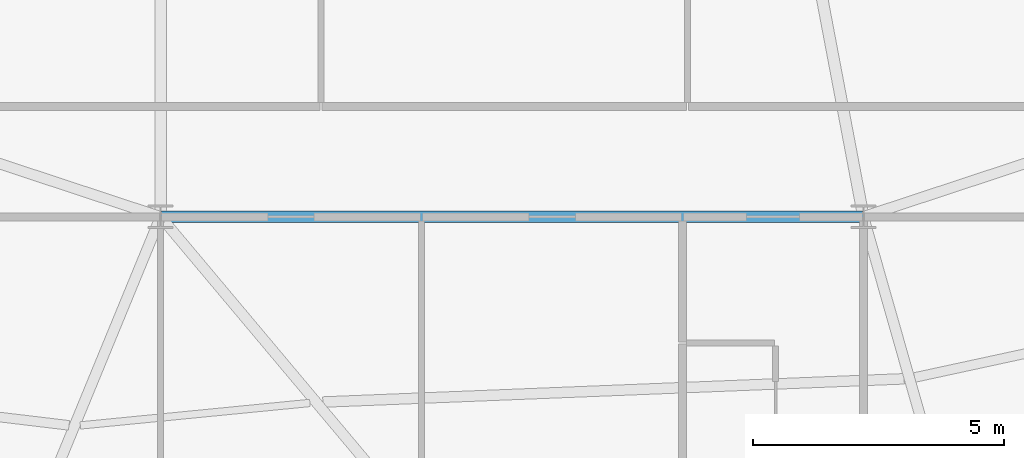
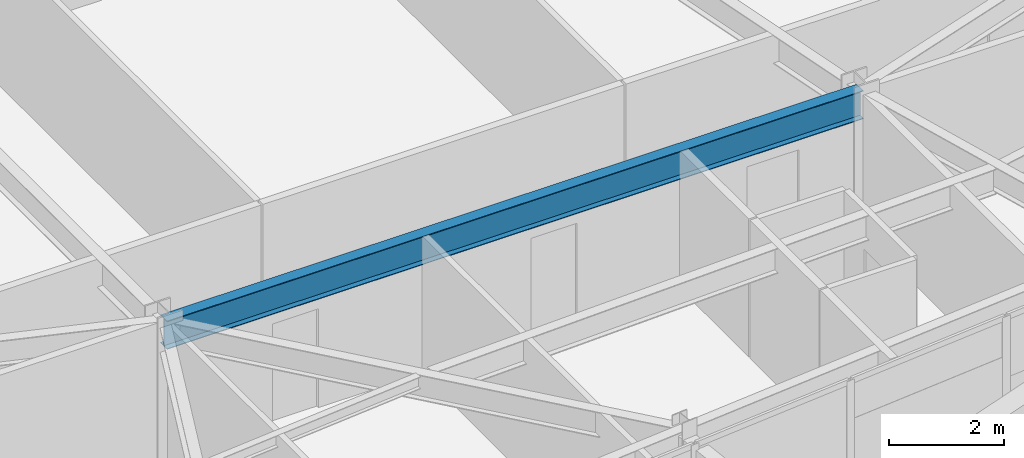
# One storey, part 12 of 52: 1 beam.
"""IFC4 building model written with IfcOpenShell, lengths in metres."""

from ifc_helpers import new_model, si_unit, direction, frame, origin, origin_2d, place, context, subcontext, project, spatial, i_section, extrude, source, transform, mapped, material, material_profile, profile_set, type_object, element, save


model = new_model("IFC4")

# Units and contexts
model_context = context("Model", 3, precision=1e-05, world=origin(), true_north=direction((0.0, 1.0)))
body_context = subcontext(model_context, "Body", "Model", "MODEL_VIEW")
ifc_project = project(units=[si_unit("LENGTHUNIT", "METRE"), si_unit("AREAUNIT", "SQUARE_METRE"), si_unit("VOLUMEUNIT", "CUBIC_METRE"), si_unit("PLANEANGLEUNIT", "RADIAN"), si_unit("MASSUNIT", "GRAM", prefix="KILO")], contexts=[model_context])

# Site, building, storey
site_placement = place(None, origin())
site = spatial("IfcSite", under=ifc_project, at=site_placement, CompositionType="ELEMENT")
building_placement = place(site_placement, origin())
building = spatial("IfcBuilding", under=site, at=building_placement, Name="Taldren Reach Tower", CompositionType="ELEMENT")
storey_placement = place(building_placement, frame((0.0, 0.0, 93.449951171875)))
storey = spatial("IfcBuildingStorey", under=building, at=storey_placement, Name="L28", CompositionType="ELEMENT", Elevation=93.449951171875)

# Beam
ifc_material = material(Name="Steel Gr 350 (350PLUS)", Category="steel")
ifc_material_profile = material_profile(ifc_material, i_section(OverallWidth=0.22802734375, OverallDepth=0.60205078125, WebThickness=0.010498046875, FlangeThickness=0.014892578125, at=origin_2d()), Name="610UB101")
ifc_profile_set = profile_set([ifc_material_profile], Name="Steel Gr 350 (350PLUS)")
beam_type = type_object("IfcBeamType", Name="BM-UB610B", PredefinedType="BEAM", material=ifc_profile_set)
shared_shape = source(origin(), body_context, "Body", "SweptSolid", [
    extrude(i_section(OverallWidth=0.22802734375, OverallDepth=0.60205078125, WebThickness=0.010498046875, FlangeThickness=0.014892578125, at=origin_2d()), origin(), (0.0, 0.0, 1.0), 14.0),
])
beam_placement = place(storey_placement, frame((28.0, 9.199951171875, 2.629150390625), z_axis=(1.0, 0.0, 0.0), x_axis=(0.0, 1.0, 0.0)))
element("IfcBeam", 1, at=beam_placement, inside=storey, type_object=beam_type, Name="Core-spine girder L28-SP11", PredefinedType="BEAM", context=body_context, shape_type="MappedRepresentation", body=[
    mapped(shared_shape, transform((0.0, 0.0, 0.0), scale=1.0)),
])

save(model, "model.ifc")
